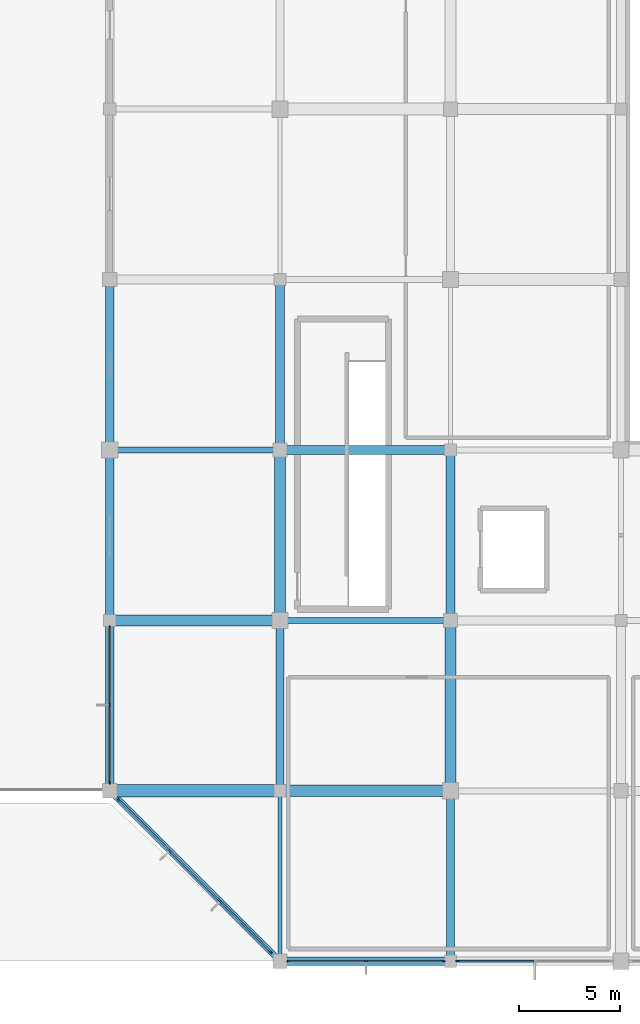
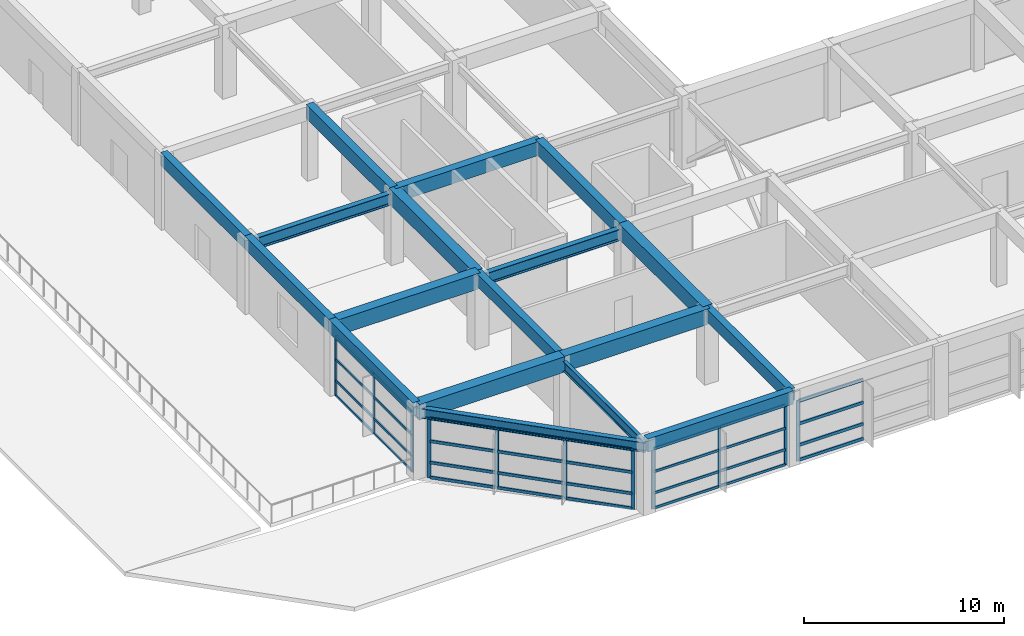
# One storey, part 10 of 56: 43 members, 18 beams, 4 elements without a shape of their own.
"""IFC4 building model written with IfcOpenShell, lengths in metres."""

from ifc_helpers import new_model, si_unit, direction, frame, origin, origin_2d, place, context, subcontext, project, spatial, rectangle, i_section, extrude, material, material_profile, profile_set, type_object, element, aggregate, save


model = new_model("IFC4")

# Units and contexts
model_context = context("Model", 3, precision=1e-05, world=origin(), true_north=direction((0.0, 1.0)))
body_context = subcontext(model_context, "Body", "Model", "MODEL_VIEW")
ifc_project = project(units=[si_unit("LENGTHUNIT", "METRE"), si_unit("AREAUNIT", "SQUARE_METRE"), si_unit("VOLUMEUNIT", "CUBIC_METRE"), si_unit("PLANEANGLEUNIT", "RADIAN"), si_unit("MASSUNIT", "GRAM", prefix="KILO")], contexts=[model_context])

# Site, building, storey
site_placement = place(None, origin())
site = spatial("IfcSite", under=ifc_project, at=site_placement, CompositionType="ELEMENT")
building_placement = place(site_placement, origin())
building = spatial("IfcBuilding", under=site, at=building_placement, Name="Xuanlan Plaza Opera House", CompositionType="ELEMENT")
storey_placement = place(building_placement, frame((0.0, 0.0, 18.89990234375)))
storey = spatial("IfcBuildingStorey", under=building, at=storey_placement, Name="L04", CompositionType="ELEMENT", Elevation=18.89990234375)

# Curtain wall, members
ifc_material_1 = material(Name="Anodised Aluminium 6063-T6 and Low-E Glass", Category="aluminium")
curtain_wall_type_1 = type_object("IfcCurtainWallType", Name="ENV-CW-CW-03", PredefinedType="USERDEFINED", material=ifc_material_1)
curtain_wall_1_placement = place(storey_placement, origin())
curtain_wall_1 = element("IfcCurtainWall", 1, at=curtain_wall_1_placement, inside=storey, type_object=curtain_wall_type_1, Name="Unitised Curtain Wall L04-001", ObjectType="UNITISED CURTAIN WALL", PredefinedType="USERDEFINED")
ifc_material_2 = material(Name="Anodised Aluminium 6063-T6", Category="aluminium")
ifc_material_profile_1 = material_profile(ifc_material_2, rectangle(XDim=0.070068359375, YDim=0.179931640625, at=origin_2d()), Name="ALU-M 70x180")
ifc_profile_set_1 = profile_set([ifc_material_profile_1], Name="Anodised Aluminium 6063-T6")
member_type_1 = type_object("IfcMemberType", Name="ENV-CWM-02", PredefinedType="MULLION", material=ifc_profile_set_1)
member_1_placement = place(storey_placement, frame((25.60498046875, 16.800048828125, 0.0), z_axis=(0.0, 0.0, 1.0), x_axis=(0.0, 1.0, 0.0)))
member_1 = element("IfcMember", 2, at=member_1_placement, type_object=member_type_1, Name="CW-03 mullion 1", PredefinedType="MULLION", context=body_context, shape_type="SweptSolid", body=[
    extrude(rectangle(XDim=0.070068359375, YDim=0.179931640625, at=origin_2d()), origin(), (0.0, 0.0, 1.0), 3.68017578125),
])
member_2_placement = place(storey_placement, frame((29.425048828125, 16.800048828125, 0.0), z_axis=(0.0, 0.0, 1.0), x_axis=(0.0, 1.0, 0.0)))
member_2 = element("IfcMember", 3, at=member_2_placement, type_object=member_type_1, Name="CW-03 mullion 2", PredefinedType="MULLION", context=body_context, shape_type="SweptSolid", body=[
    extrude(rectangle(XDim=0.070068359375, YDim=0.179931640625, at=origin_2d()), origin(), (0.0, 0.0, 1.0), 3.68017578125),
])
member_3_placement = place(storey_placement, frame((33.2451171875, 16.800048828125, 0.0), z_axis=(0.0, 0.0, 1.0), x_axis=(0.0, 1.0, 0.0)))
member_3 = element("IfcMember", 4, at=member_3_placement, type_object=member_type_1, Name="CW-03 mullion 3", PredefinedType="MULLION", context=body_context, shape_type="SweptSolid", body=[
    extrude(rectangle(XDim=0.070068359375, YDim=0.179931640625, at=origin_2d()), origin(), (0.0, 0.0, 1.0), 3.68017578125),
])

curtain_wall_type_2 = type_object("IfcCurtainWallType", Name="ENV-CW-CW-01", PredefinedType="USERDEFINED", material=ifc_material_1)
curtain_wall_2_placement = place(storey_placement, origin())
curtain_wall_2 = element("IfcCurtainWall", 5, at=curtain_wall_2_placement, inside=storey, type_object=curtain_wall_type_2, Name="Unitised Curtain Wall L04-051", ObjectType="UNITISED CURTAIN WALL", PredefinedType="USERDEFINED")
member_4_placement = place(storey_placement, frame((16.800048828125, 33.2451171875, 0.0), z_axis=(0.0, 0.0, 1.0), x_axis=(1.0, 0.0, 0.0)))
member_4 = element("IfcMember", 6, at=member_4_placement, type_object=member_type_1, Name="CW-01 mullion 1", PredefinedType="MULLION", context=body_context, shape_type="SweptSolid", body=[
    extrude(rectangle(XDim=0.070068359375, YDim=0.179931640625, at=origin_2d()), origin(), (0.0, 0.0, 1.0), 3.68017578125),
])
member_5_placement = place(storey_placement, frame((16.800048828125, 29.425048828125, 0.0), z_axis=(0.0, 0.0, 1.0), x_axis=(1.0, 0.0, 0.0)))
member_5 = element("IfcMember", 7, at=member_5_placement, type_object=member_type_1, Name="CW-01 mullion 2", PredefinedType="MULLION", context=body_context, shape_type="SweptSolid", body=[
    extrude(rectangle(XDim=0.070068359375, YDim=0.179931640625, at=origin_2d()), origin(), (0.0, 0.0, 1.0), 3.68017578125),
])
member_6_placement = place(storey_placement, frame((16.800048828125, 25.60498046875, 0.0), z_axis=(0.0, 0.0, 1.0), x_axis=(1.0, 0.0, 0.0)))
member_6 = element("IfcMember", 8, at=member_6_placement, type_object=member_type_1, Name="CW-01 mullion 3", PredefinedType="MULLION", context=body_context, shape_type="SweptSolid", body=[
    extrude(rectangle(XDim=0.070068359375, YDim=0.179931640625, at=origin_2d()), origin(), (0.0, 0.0, 1.0), 3.68017578125),
])

# Curtain wall, member
curtain_wall_type_3 = type_object("IfcCurtainWallType", Name="ENV-CW-CW-04", PredefinedType="USERDEFINED", material=ifc_material_1)
curtain_wall_3_placement = place(storey_placement, origin())
curtain_wall_3 = element("IfcCurtainWall", 9, at=curtain_wall_3_placement, inside=storey, type_object=curtain_wall_type_3, Name="Unitised Curtain Wall L04-002", ObjectType="UNITISED CURTAIN WALL", PredefinedType="USERDEFINED")
ifc_material_profile_2 = material_profile(ifc_material_2, rectangle(XDim=0.074951171875, YDim=0.199951171875, at=origin_2d()), Name="ALU-M 75x200")
ifc_profile_set_2 = profile_set([ifc_material_profile_2], Name="Anodised Aluminium 6063-T6")
member_type_2 = type_object("IfcMemberType", Name="ENV-CWM-03", PredefinedType="MULLION", material=ifc_profile_set_2)
member_7_placement = place(storey_placement, frame((33.95751953125, 16.800048828125, 0.0), z_axis=(0.0, 0.0, 1.0), x_axis=(0.0, 1.0, 0.0)))
member_7 = element("IfcMember", 10, at=member_7_placement, type_object=member_type_2, Name="CW-04 mullion 1", PredefinedType="MULLION", context=body_context, shape_type="SweptSolid", body=[
    extrude(rectangle(XDim=0.074951171875, YDim=0.199951171875, at=origin_2d()), origin(), (0.0, 0.0, 1.0), 3.68017578125),
])

# Curtain wall, members
curtain_wall_type_4 = type_object("IfcCurtainWallType", Name="ENV-CW-CW-02", PredefinedType="USERDEFINED", material=ifc_material_1)
curtain_wall_4_placement = place(storey_placement, origin())
curtain_wall_4 = element("IfcCurtainWall", 11, at=curtain_wall_4_placement, inside=storey, type_object=curtain_wall_type_4, Name="Unitised Curtain Wall L04-052", ObjectType="UNITISED CURTAIN WALL", PredefinedType="USERDEFINED")
member_8_placement = place(storey_placement, frame((17.275634765625, 24.724365234375, 0.0), z_axis=(0.0, 0.0, 1.0), x_axis=(0.707106781187, 0.707106781187, 0.0)))
member_8 = element("IfcMember", 12, at=member_8_placement, type_object=member_type_2, Name="CW-02 mullion 1", PredefinedType="MULLION", context=body_context, shape_type="SweptSolid", body=[
    extrude(rectangle(XDim=0.074951171875, YDim=0.199951171875, at=origin_2d()), origin(), (0.0, 0.0, 1.0), 3.68017578125),
])
member_9_placement = place(storey_placement, frame((19.749755859375, 22.250244140625, 0.0), z_axis=(0.0, 0.0, 1.0), x_axis=(0.707106781187, 0.707106781187, 0.0)))
member_9 = element("IfcMember", 13, at=member_9_placement, type_object=member_type_2, Name="CW-02 mullion 2", PredefinedType="MULLION", context=body_context, shape_type="SweptSolid", body=[
    extrude(rectangle(XDim=0.074951171875, YDim=0.199951171875, at=origin_2d()), origin(), (0.0, 0.0, 1.0), 3.68017578125),
])
member_10_placement = place(storey_placement, frame((22.250244140625, 19.749755859375, 0.0), z_axis=(0.0, 0.0, 1.0), x_axis=(0.707106781187, 0.707106781187, 0.0)))
member_10 = element("IfcMember", 14, at=member_10_placement, type_object=member_type_2, Name="CW-02 mullion 3", PredefinedType="MULLION", context=body_context, shape_type="SweptSolid", body=[
    extrude(rectangle(XDim=0.074951171875, YDim=0.199951171875, at=origin_2d()), origin(), (0.0, 0.0, 1.0), 3.68017578125),
])
member_11_placement = place(storey_placement, frame((24.724365234375, 17.275634765625, 0.0), z_axis=(0.0, 0.0, 1.0), x_axis=(0.707106781187, 0.707106781187, 0.0)))
member_11 = element("IfcMember", 15, at=member_11_placement, type_object=member_type_2, Name="CW-02 mullion 4", PredefinedType="MULLION", context=body_context, shape_type="SweptSolid", body=[
    extrude(rectangle(XDim=0.074951171875, YDim=0.199951171875, at=origin_2d()), origin(), (0.0, 0.0, 1.0), 3.68017578125),
])

# Member
ifc_material_profile_3 = material_profile(ifc_material_2, rectangle(XDim=0.074951171875, YDim=0.14990234375, at=origin_2d()), Name="ALU-T 75x150")
ifc_profile_set_3 = profile_set([ifc_material_profile_3], Name="Anodised Aluminium 6063-T6")
member_type_3 = type_object("IfcMemberType", Name="ENV-CWT-03", PredefinedType="USERDEFINED", material=ifc_profile_set_3)
member_12_placement = place(storey_placement, frame((25.639892578125, 16.800048828125, 0.03759765625), z_axis=(1.0, 0.0, 0.0), x_axis=(0.0, 1.0, 0.0)))
member_12 = element("IfcMember", 16, at=member_12_placement, type_object=member_type_3, Name="CW-03 transom 1.1", ObjectType="TRANSOM", PredefinedType="USERDEFINED", context=body_context, shape_type="SweptSolid", body=[
    extrude(rectangle(XDim=0.074951171875, YDim=0.14990234375, at=origin_2d()), origin(), (0.0, 0.0, 1.0), 3.75),
])

member_13_placement = place(storey_placement, frame((25.639892578125, 16.800048828125, 0.9501953125), z_axis=(1.0, 0.0, 0.0), x_axis=(0.0, 1.0, 0.0)))
member_13 = element("IfcMember", 17, at=member_13_placement, type_object=member_type_3, Name="CW-03 transom 1.2", ObjectType="TRANSOM", PredefinedType="USERDEFINED", context=body_context, shape_type="SweptSolid", body=[
    extrude(rectangle(XDim=0.074951171875, YDim=0.14990234375, at=origin_2d()), origin(), (0.0, 0.0, 1.0), 3.75),
])

member_14_placement = place(storey_placement, frame((25.639892578125, 16.800048828125, 2.25), z_axis=(1.0, 0.0, 0.0), x_axis=(0.0, 1.0, 0.0)))
member_14 = element("IfcMember", 18, at=member_14_placement, type_object=member_type_3, Name="CW-03 transom 1.3", ObjectType="TRANSOM", PredefinedType="USERDEFINED", context=body_context, shape_type="SweptSolid", body=[
    extrude(rectangle(XDim=0.074951171875, YDim=0.14990234375, at=origin_2d()), origin(), (0.0, 0.0, 1.0), 3.75),
])

member_15_placement = place(storey_placement, frame((25.639892578125, 16.800048828125, 3.642578125), z_axis=(1.0, 0.0, 0.0), x_axis=(0.0, 1.0, 0.0)))
member_15 = element("IfcMember", 19, at=member_15_placement, type_object=member_type_3, Name="CW-03 transom 1.4", ObjectType="TRANSOM", PredefinedType="USERDEFINED", context=body_context, shape_type="SweptSolid", body=[
    extrude(rectangle(XDim=0.074951171875, YDim=0.14990234375, at=origin_2d()), origin(), (0.0, 0.0, 1.0), 3.75),
])

member_16_placement = place(storey_placement, frame((29.4599609375, 16.800048828125, 0.03759765625), z_axis=(1.0, 0.0, 0.0), x_axis=(0.0, 1.0, 0.0)))
member_16 = element("IfcMember", 20, at=member_16_placement, type_object=member_type_3, Name="CW-03 transom 2.1", ObjectType="TRANSOM", PredefinedType="USERDEFINED", context=body_context, shape_type="SweptSolid", body=[
    extrude(rectangle(XDim=0.074951171875, YDim=0.14990234375, at=origin_2d()), origin(), (0.0, 0.0, 1.0), 3.75),
])

member_17_placement = place(storey_placement, frame((29.4599609375, 16.800048828125, 0.9501953125), z_axis=(1.0, 0.0, 0.0), x_axis=(0.0, 1.0, 0.0)))
member_17 = element("IfcMember", 21, at=member_17_placement, type_object=member_type_3, Name="CW-03 transom 2.2", ObjectType="TRANSOM", PredefinedType="USERDEFINED", context=body_context, shape_type="SweptSolid", body=[
    extrude(rectangle(XDim=0.074951171875, YDim=0.14990234375, at=origin_2d()), origin(), (0.0, 0.0, 1.0), 3.75),
])

member_18_placement = place(storey_placement, frame((29.4599609375, 16.800048828125, 2.25), z_axis=(1.0, 0.0, 0.0), x_axis=(0.0, 1.0, 0.0)))
member_18 = element("IfcMember", 22, at=member_18_placement, type_object=member_type_3, Name="CW-03 transom 2.3", ObjectType="TRANSOM", PredefinedType="USERDEFINED", context=body_context, shape_type="SweptSolid", body=[
    extrude(rectangle(XDim=0.074951171875, YDim=0.14990234375, at=origin_2d()), origin(), (0.0, 0.0, 1.0), 3.75),
])

member_19_placement = place(storey_placement, frame((29.4599609375, 16.800048828125, 3.642578125), z_axis=(1.0, 0.0, 0.0), x_axis=(0.0, 1.0, 0.0)))
member_19 = element("IfcMember", 23, at=member_19_placement, type_object=member_type_3, Name="CW-03 transom 2.4", ObjectType="TRANSOM", PredefinedType="USERDEFINED", context=body_context, shape_type="SweptSolid", body=[
    extrude(rectangle(XDim=0.074951171875, YDim=0.14990234375, at=origin_2d()), origin(), (0.0, 0.0, 1.0), 3.75),
])

aggregate(curtain_wall_1, [member_1, member_2, member_3, member_12, member_13, member_14, member_15, member_16, member_17, member_18, member_19])

member_20_placement = place(storey_placement, frame((16.800048828125, 33.2099609375, 0.03759765625), z_axis=(0.0, -1.0, 0.0), x_axis=(1.0, 0.0, 0.0)))
member_20 = element("IfcMember", 24, at=member_20_placement, type_object=member_type_3, Name="CW-01 transom 1.1", ObjectType="TRANSOM", PredefinedType="USERDEFINED", context=body_context, shape_type="SweptSolid", body=[
    extrude(rectangle(XDim=0.074951171875, YDim=0.14990234375, at=origin_2d()), origin(), (0.0, 0.0, 1.0), 3.75),
])

member_21_placement = place(storey_placement, frame((16.800048828125, 33.2099609375, 0.9501953125), z_axis=(0.0, -1.0, 0.0), x_axis=(1.0, 0.0, 0.0)))
member_21 = element("IfcMember", 25, at=member_21_placement, type_object=member_type_3, Name="CW-01 transom 1.2", ObjectType="TRANSOM", PredefinedType="USERDEFINED", context=body_context, shape_type="SweptSolid", body=[
    extrude(rectangle(XDim=0.074951171875, YDim=0.14990234375, at=origin_2d()), origin(), (0.0, 0.0, 1.0), 3.75),
])

member_22_placement = place(storey_placement, frame((16.800048828125, 33.2099609375, 2.25), z_axis=(0.0, -1.0, 0.0), x_axis=(1.0, 0.0, 0.0)))
member_22 = element("IfcMember", 26, at=member_22_placement, type_object=member_type_3, Name="CW-01 transom 1.3", ObjectType="TRANSOM", PredefinedType="USERDEFINED", context=body_context, shape_type="SweptSolid", body=[
    extrude(rectangle(XDim=0.074951171875, YDim=0.14990234375, at=origin_2d()), origin(), (0.0, 0.0, 1.0), 3.75),
])

member_23_placement = place(storey_placement, frame((16.800048828125, 33.2099609375, 3.642578125), z_axis=(0.0, -1.0, 0.0), x_axis=(1.0, 0.0, 0.0)))
member_23 = element("IfcMember", 27, at=member_23_placement, type_object=member_type_3, Name="CW-01 transom 1.4", ObjectType="TRANSOM", PredefinedType="USERDEFINED", context=body_context, shape_type="SweptSolid", body=[
    extrude(rectangle(XDim=0.074951171875, YDim=0.14990234375, at=origin_2d()), origin(), (0.0, 0.0, 1.0), 3.75),
])

member_24_placement = place(storey_placement, frame((16.800048828125, 29.389892578125, 0.03759765625), z_axis=(0.0, -1.0, 0.0), x_axis=(1.0, 0.0, 0.0)))
member_24 = element("IfcMember", 28, at=member_24_placement, type_object=member_type_3, Name="CW-01 transom 2.1", ObjectType="TRANSOM", PredefinedType="USERDEFINED", context=body_context, shape_type="SweptSolid", body=[
    extrude(rectangle(XDim=0.074951171875, YDim=0.14990234375, at=origin_2d()), origin(), (0.0, 0.0, 1.0), 3.75),
])

member_25_placement = place(storey_placement, frame((16.800048828125, 29.389892578125, 0.9501953125), z_axis=(0.0, -1.0, 0.0), x_axis=(1.0, 0.0, 0.0)))
member_25 = element("IfcMember", 29, at=member_25_placement, type_object=member_type_3, Name="CW-01 transom 2.2", ObjectType="TRANSOM", PredefinedType="USERDEFINED", context=body_context, shape_type="SweptSolid", body=[
    extrude(rectangle(XDim=0.074951171875, YDim=0.14990234375, at=origin_2d()), origin(), (0.0, 0.0, 1.0), 3.75),
])

member_26_placement = place(storey_placement, frame((16.800048828125, 29.389892578125, 2.25), z_axis=(0.0, -1.0, 0.0), x_axis=(1.0, 0.0, 0.0)))
member_26 = element("IfcMember", 30, at=member_26_placement, type_object=member_type_3, Name="CW-01 transom 2.3", ObjectType="TRANSOM", PredefinedType="USERDEFINED", context=body_context, shape_type="SweptSolid", body=[
    extrude(rectangle(XDim=0.074951171875, YDim=0.14990234375, at=origin_2d()), origin(), (0.0, 0.0, 1.0), 3.75),
])

member_27_placement = place(storey_placement, frame((16.800048828125, 29.389892578125, 3.642578125), z_axis=(0.0, -1.0, 0.0), x_axis=(1.0, 0.0, 0.0)))
member_27 = element("IfcMember", 31, at=member_27_placement, type_object=member_type_3, Name="CW-01 transom 2.4", ObjectType="TRANSOM", PredefinedType="USERDEFINED", context=body_context, shape_type="SweptSolid", body=[
    extrude(rectangle(XDim=0.074951171875, YDim=0.14990234375, at=origin_2d()), origin(), (0.0, 0.0, 1.0), 3.75),
])

aggregate(curtain_wall_2, [member_4, member_5, member_6, member_20, member_21, member_22, member_23, member_24, member_25, member_26, member_27])

ifc_material_profile_4 = material_profile(ifc_material_2, rectangle(XDim=0.090087890625, YDim=0.179931640625, at=origin_2d()), Name="ALU-T 90x180")
ifc_profile_set_4 = profile_set([ifc_material_profile_4], Name="Anodised Aluminium 6063-T6")
member_type_4 = type_object("IfcMemberType", Name="ENV-CWT-05", PredefinedType="USERDEFINED", material=ifc_profile_set_4)
member_28_placement = place(storey_placement, frame((33.9951171875, 16.800048828125, 0.045166015625), z_axis=(1.0, 0.0, 0.0), x_axis=(0.0, 1.0, 0.0)))
member_28 = element("IfcMember", 32, at=member_28_placement, type_object=member_type_4, Name="CW-04 transom 1.1", ObjectType="TRANSOM", PredefinedType="USERDEFINED", context=body_context, shape_type="SweptSolid", body=[
    extrude(rectangle(XDim=0.090087890625, YDim=0.179931640625, at=origin_2d()), origin(), (0.0, 0.0, 1.0), 3.71728515625),
])

member_29_placement = place(storey_placement, frame((33.9951171875, 16.800048828125, 0.9501953125), z_axis=(1.0, 0.0, 0.0), x_axis=(0.0, 1.0, 0.0)))
member_29 = element("IfcMember", 33, at=member_29_placement, type_object=member_type_4, Name="CW-04 transom 1.2", ObjectType="TRANSOM", PredefinedType="USERDEFINED", context=body_context, shape_type="SweptSolid", body=[
    extrude(rectangle(XDim=0.090087890625, YDim=0.179931640625, at=origin_2d()), origin(), (0.0, 0.0, 1.0), 3.71728515625),
])

member_30_placement = place(storey_placement, frame((33.9951171875, 16.800048828125, 2.25), z_axis=(1.0, 0.0, 0.0), x_axis=(0.0, 1.0, 0.0)))
member_30 = element("IfcMember", 34, at=member_30_placement, type_object=member_type_4, Name="CW-04 transom 1.3", ObjectType="TRANSOM", PredefinedType="USERDEFINED", context=body_context, shape_type="SweptSolid", body=[
    extrude(rectangle(XDim=0.090087890625, YDim=0.179931640625, at=origin_2d()), origin(), (0.0, 0.0, 1.0), 3.71728515625),
])

member_31_placement = place(storey_placement, frame((33.9951171875, 16.800048828125, 3.635009765625), z_axis=(1.0, 0.0, 0.0), x_axis=(0.0, 1.0, 0.0)))
member_31 = element("IfcMember", 35, at=member_31_placement, type_object=member_type_4, Name="CW-04 transom 1.4", ObjectType="TRANSOM", PredefinedType="USERDEFINED", context=body_context, shape_type="SweptSolid", body=[
    extrude(rectangle(XDim=0.090087890625, YDim=0.179931640625, at=origin_2d()), origin(), (0.0, 0.0, 1.0), 3.71728515625),
])

aggregate(curtain_wall_3, [member_7, member_28, member_29, member_30, member_31])

member_32_placement = place(storey_placement, frame((17.302001953125, 24.697998046875, 0.045166015625), z_axis=(0.707106781187, -0.707106781187, 0.0), x_axis=(0.707106781187, 0.707106781187, 0.0)))
member_32 = element("IfcMember", 36, at=member_32_placement, type_object=member_type_4, Name="CW-02 transom 1.1", ObjectType="TRANSOM", PredefinedType="USERDEFINED", context=body_context, shape_type="SweptSolid", body=[
    extrude(rectangle(XDim=0.090087890625, YDim=0.179931640625, at=origin_2d()), origin(), (0.0, 0.0, 1.0), 3.424072265625),
])

member_33_placement = place(storey_placement, frame((17.302001953125, 24.697998046875, 0.9501953125), z_axis=(0.707106781187, -0.707106781187, 0.0), x_axis=(0.707106781187, 0.707106781187, 0.0)))
member_33 = element("IfcMember", 37, at=member_33_placement, type_object=member_type_4, Name="CW-02 transom 1.2", ObjectType="TRANSOM", PredefinedType="USERDEFINED", context=body_context, shape_type="SweptSolid", body=[
    extrude(rectangle(XDim=0.090087890625, YDim=0.179931640625, at=origin_2d()), origin(), (0.0, 0.0, 1.0), 3.424072265625),
])

member_34_placement = place(storey_placement, frame((17.302001953125, 24.697998046875, 2.25), z_axis=(0.707106781187, -0.707106781187, 0.0), x_axis=(0.707106781187, 0.707106781187, 0.0)))
member_34 = element("IfcMember", 38, at=member_34_placement, type_object=member_type_4, Name="CW-02 transom 1.3", ObjectType="TRANSOM", PredefinedType="USERDEFINED", context=body_context, shape_type="SweptSolid", body=[
    extrude(rectangle(XDim=0.090087890625, YDim=0.179931640625, at=origin_2d()), origin(), (0.0, 0.0, 1.0), 3.424072265625),
])

member_35_placement = place(storey_placement, frame((17.302001953125, 24.697998046875, 3.635009765625), z_axis=(0.707106781187, -0.707106781187, 0.0), x_axis=(0.707106781187, 0.707106781187, 0.0)))
member_35 = element("IfcMember", 39, at=member_35_placement, type_object=member_type_4, Name="CW-02 transom 1.4", ObjectType="TRANSOM", PredefinedType="USERDEFINED", context=body_context, shape_type="SweptSolid", body=[
    extrude(rectangle(XDim=0.090087890625, YDim=0.179931640625, at=origin_2d()), origin(), (0.0, 0.0, 1.0), 3.424072265625),
])

member_36_placement = place(storey_placement, frame((19.776123046875, 22.223876953125, 0.045166015625), z_axis=(0.707106781187, -0.707106781187, 0.0), x_axis=(0.707106781187, 0.707106781187, 0.0)))
member_36 = element("IfcMember", 40, at=member_36_placement, type_object=member_type_4, Name="CW-02 transom 2.1", ObjectType="TRANSOM", PredefinedType="USERDEFINED", context=body_context, shape_type="SweptSolid", body=[
    extrude(rectangle(XDim=0.090087890625, YDim=0.179931640625, at=origin_2d()), origin(), (0.0, 0.0, 1.0), 3.461669921875),
])

member_37_placement = place(storey_placement, frame((19.776123046875, 22.223876953125, 0.9501953125), z_axis=(0.707106781187, -0.707106781187, 0.0), x_axis=(0.707106781187, 0.707106781187, 0.0)))
member_37 = element("IfcMember", 41, at=member_37_placement, type_object=member_type_4, Name="CW-02 transom 2.2", ObjectType="TRANSOM", PredefinedType="USERDEFINED", context=body_context, shape_type="SweptSolid", body=[
    extrude(rectangle(XDim=0.090087890625, YDim=0.179931640625, at=origin_2d()), origin(), (0.0, 0.0, 1.0), 3.461669921875),
])

member_38_placement = place(storey_placement, frame((19.776123046875, 22.223876953125, 2.25), z_axis=(0.707106781187, -0.707106781187, 0.0), x_axis=(0.707106781187, 0.707106781187, 0.0)))
member_38 = element("IfcMember", 42, at=member_38_placement, type_object=member_type_4, Name="CW-02 transom 2.3", ObjectType="TRANSOM", PredefinedType="USERDEFINED", context=body_context, shape_type="SweptSolid", body=[
    extrude(rectangle(XDim=0.090087890625, YDim=0.179931640625, at=origin_2d()), origin(), (0.0, 0.0, 1.0), 3.461669921875),
])

member_39_placement = place(storey_placement, frame((19.776123046875, 22.223876953125, 3.635009765625), z_axis=(0.707106781187, -0.707106781187, 0.0), x_axis=(0.707106781187, 0.707106781187, 0.0)))
member_39 = element("IfcMember", 43, at=member_39_placement, type_object=member_type_4, Name="CW-02 transom 2.4", ObjectType="TRANSOM", PredefinedType="USERDEFINED", context=body_context, shape_type="SweptSolid", body=[
    extrude(rectangle(XDim=0.090087890625, YDim=0.179931640625, at=origin_2d()), origin(), (0.0, 0.0, 1.0), 3.461669921875),
])

member_40_placement = place(storey_placement, frame((22.27685546875, 19.72314453125, 0.045166015625), z_axis=(0.707106781187, -0.707106781187, 0.0), x_axis=(0.707106781187, 0.707106781187, 0.0)))
member_40 = element("IfcMember", 44, at=member_40_placement, type_object=member_type_4, Name="CW-02 transom 3.1", ObjectType="TRANSOM", PredefinedType="USERDEFINED", context=body_context, shape_type="SweptSolid", body=[
    extrude(rectangle(XDim=0.090087890625, YDim=0.179931640625, at=origin_2d()), origin(), (0.0, 0.0, 1.0), 3.424072265625),
])

member_41_placement = place(storey_placement, frame((22.27685546875, 19.72314453125, 0.9501953125), z_axis=(0.707106781187, -0.707106781187, 0.0), x_axis=(0.707106781187, 0.707106781187, 0.0)))
member_41 = element("IfcMember", 45, at=member_41_placement, type_object=member_type_4, Name="CW-02 transom 3.2", ObjectType="TRANSOM", PredefinedType="USERDEFINED", context=body_context, shape_type="SweptSolid", body=[
    extrude(rectangle(XDim=0.090087890625, YDim=0.179931640625, at=origin_2d()), origin(), (0.0, 0.0, 1.0), 3.424072265625),
])

member_42_placement = place(storey_placement, frame((22.27685546875, 19.72314453125, 2.25), z_axis=(0.707106781187, -0.707106781187, 0.0), x_axis=(0.707106781187, 0.707106781187, 0.0)))
member_42 = element("IfcMember", 46, at=member_42_placement, type_object=member_type_4, Name="CW-02 transom 3.3", ObjectType="TRANSOM", PredefinedType="USERDEFINED", context=body_context, shape_type="SweptSolid", body=[
    extrude(rectangle(XDim=0.090087890625, YDim=0.179931640625, at=origin_2d()), origin(), (0.0, 0.0, 1.0), 3.424072265625),
])

member_43_placement = place(storey_placement, frame((22.27685546875, 19.72314453125, 3.635009765625), z_axis=(0.707106781187, -0.707106781187, 0.0), x_axis=(0.707106781187, 0.707106781187, 0.0)))
member_43 = element("IfcMember", 47, at=member_43_placement, type_object=member_type_4, Name="CW-02 transom 3.4", ObjectType="TRANSOM", PredefinedType="USERDEFINED", context=body_context, shape_type="SweptSolid", body=[
    extrude(rectangle(XDim=0.090087890625, YDim=0.179931640625, at=origin_2d()), origin(), (0.0, 0.0, 1.0), 3.424072265625),
])

aggregate(curtain_wall_4, [member_8, member_9, member_10, member_11, member_32, member_33, member_34, member_35, member_36, member_37, member_38, member_39, member_40, member_41, member_42, member_43])

# Beams
ifc_material_3 = material(Name="Concrete C50", Category="concrete")
ifc_material_profile_5 = material_profile(ifc_material_3, rectangle(XDim=0.60009765625, YDim=0.949951171875, at=origin_2d()), Name="RC-BM 600x950")
ifc_profile_set_5 = profile_set([ifc_material_profile_5], Name="Concrete C50")
beam_type_1 = type_object("IfcBeamType", Name="STR-BM-B-01", PredefinedType="BEAM", material=ifc_profile_set_5)
beam_1_placement = place(storey_placement, frame((16.800048828125, 25.199951171875, 4.025146484375), z_axis=(1.0, 0.0, 0.0), x_axis=(0.0, 1.0, 0.0)))
element("IfcBeam", 48, at=beam_1_placement, inside=storey, type_object=beam_type_1, Name="Grid Beam X L04 3-4/D", PredefinedType="BEAM", context=body_context, shape_type="SweptSolid", body=[
    extrude(rectangle(XDim=0.60009765625, YDim=0.949951171875, at=origin_2d()), origin(), (0.0, 0.0, 1.0), 8.39990234375),
])
ifc_material_profile_6 = material_profile(ifc_material_3, rectangle(XDim=0.550048828125, YDim=0.949951171875, at=origin_2d()), Name="RC-BM 550x950")
ifc_profile_set_6 = profile_set([ifc_material_profile_6], Name="Concrete C50")
beam_type_2 = type_object("IfcBeamType", Name="STR-BM-B-02", PredefinedType="BEAM", material=ifc_profile_set_6)
beam_2_placement = place(storey_placement, frame((25.199951171875, 25.199951171875, 4.025146484375), z_axis=(1.0, 0.0, 0.0), x_axis=(0.0, 1.0, 0.0)))
element("IfcBeam", 49, at=beam_2_placement, inside=storey, type_object=beam_type_2, Name="Grid Beam X L04 4-5/D", PredefinedType="BEAM", context=body_context, shape_type="SweptSolid", body=[
    extrude(rectangle(XDim=0.550048828125, YDim=0.949951171875, at=origin_2d()), origin(), (0.0, 0.0, 1.0), 8.400146484375),
])
for number, where, z_axis, x_axis, name in (
    (50, (16.800048828125, 33.60009765625, 4.025146484375), (1.0, 0.0, 0.0), (0.0, 1.0, 0.0), "Grid Beam X L04 3-4/E"),
    (51, (25.199951171875, 33.60009765625, 4.025146484375), (0.0, 1.0, 0.0), (-1.0, 0.0, 0.0), "Grid Beam Y L04 4/E-F"),
):
    element("IfcBeam", number, at=place(storey_placement, frame(where, z_axis=z_axis, x_axis=x_axis)), inside=storey, type_object=beam_type_2, Name=name, PredefinedType="BEAM", context=body_context, shape_type="SweptSolid", body=[
        extrude(rectangle(XDim=0.550048828125, YDim=0.949951171875, at=origin_2d()), origin(), (0.0, 0.0, 1.0), 8.39990234375),
    ])
beam_3_placement = place(storey_placement, frame((33.60009765625, 25.199951171875, 4.025146484375), z_axis=(0.0, 1.0, 0.0), x_axis=(-1.0, 0.0, 0.0)))
element("IfcBeam", 52, at=beam_3_placement, inside=storey, type_object=beam_type_2, Name="Grid Beam Y L04 5/D-E", PredefinedType="BEAM", context=body_context, shape_type="SweptSolid", body=[
    extrude(rectangle(XDim=0.550048828125, YDim=0.949951171875, at=origin_2d()), origin(), (0.0, 0.0, 1.0), 8.400146484375),
])
ifc_material_4 = material(Name="Concrete C40", Category="concrete")
ifc_material_profile_7 = material_profile(ifc_material_4, rectangle(XDim=0.449951171875, YDim=0.85009765625, at=origin_2d()), Name="RC-BM 450x850")
ifc_profile_set_7 = profile_set([ifc_material_profile_7], Name="Concrete C40")
beam_type_3 = type_object("IfcBeamType", Name="STR-BM-B-04", PredefinedType="BEAM", material=ifc_profile_set_7)
beam_4_placement = place(storey_placement, frame((25.199951171875, 42.0, 4.0751953125), z_axis=(1.0, 0.0, 0.0), x_axis=(0.0, 1.0, 0.0)))
element("IfcBeam", 53, at=beam_4_placement, inside=storey, type_object=beam_type_3, Name="Grid Beam X L04 4-5/F", PredefinedType="BEAM", context=body_context, shape_type="SweptSolid", body=[
    extrude(rectangle(XDim=0.449951171875, YDim=0.85009765625, at=origin_2d()), origin(), (0.0, 0.0, 1.0), 8.400146484375),
])
for number, where, z_axis, x_axis, name in (
    (54, (25.199951171875, 42.0, 4.0751953125), (0.0, 1.0, 0.0), (-1.0, 0.0, 0.0), "Grid Beam Y L04 4/F-G"),
    (55, (33.60009765625, 33.60009765625, 4.0751953125), (0.0, 1.0, 0.0), (-1.0, 0.0, 0.0), "Grid Beam Y L04 5/E-F"),
):
    element("IfcBeam", number, at=place(storey_placement, frame(where, z_axis=z_axis, x_axis=x_axis)), inside=storey, type_object=beam_type_3, Name=name, PredefinedType="BEAM", context=body_context, shape_type="SweptSolid", body=[
        extrude(rectangle(XDim=0.449951171875, YDim=0.85009765625, at=origin_2d()), origin(), (0.0, 0.0, 1.0), 8.39990234375),
    ])
ifc_material_profile_8 = material_profile(ifc_material_4, rectangle(XDim=0.39990234375, YDim=0.75, at=origin_2d()), Name="RC-BM 400x750")
ifc_profile_set_8 = profile_set([ifc_material_profile_8], Name="Concrete C40")
beam_type_4 = type_object("IfcBeamType", Name="STR-BM-B-06", PredefinedType="BEAM", material=ifc_profile_set_8)
beam_5_placement = place(storey_placement, frame((25.199951171875, 25.199951171875, 4.125), z_axis=(0.0, 1.0, 0.0), x_axis=(-1.0, 0.0, 0.0)))
element("IfcBeam", 56, at=beam_5_placement, inside=storey, type_object=beam_type_4, Name="Grid Beam Y L04 4/D-E", PredefinedType="BEAM", context=body_context, shape_type="SweptSolid", body=[
    extrude(rectangle(XDim=0.39990234375, YDim=0.75, at=origin_2d()), origin(), (0.0, 0.0, 1.0), 8.400146484375),
])
beam_6_placement = place(storey_placement, frame((33.60009765625, 16.800048828125, 4.125), z_axis=(0.0, 1.0, 0.0), x_axis=(-1.0, 0.0, 0.0)))
element("IfcBeam", 57, at=beam_6_placement, inside=storey, type_object=beam_type_4, Name="Grid Beam Y L04 5/C-D", PredefinedType="BEAM", context=body_context, shape_type="SweptSolid", body=[
    extrude(rectangle(XDim=0.39990234375, YDim=0.75, at=origin_2d()), origin(), (0.0, 0.0, 1.0), 8.39990234375),
])
ifc_material_5 = material(Name="Steel Q355B", Category="steel")
ifc_material_profile_9 = material_profile(ifc_material_5, i_section(OverallWidth=0.300048828125, OverallDepth=0.699951171875, WebThickness=0.012939453125, FlangeThickness=0.02392578125, FilletRadius=0.02392578125, at=origin_2d()), Name="HN 700x300x13x24")
ifc_profile_set_9 = profile_set([ifc_material_profile_9], Name="Steel Q355B")
beam_type_5 = type_object("IfcBeamType", Name="STR-BM-SB-03", PredefinedType="BEAM", material=ifc_profile_set_9)
beam_7_placement = place(storey_placement, frame((25.199951171875, 33.60009765625, 3.885009765625), z_axis=(1.0, 0.0, 0.0), x_axis=(0.0, 1.0, 0.0)))
element("IfcBeam", 58, at=beam_7_placement, inside=storey, type_object=beam_type_5, Name="Grid Beam X L04 4-5/E", PredefinedType="BEAM", context=body_context, shape_type="SweptSolid", body=[
    extrude(i_section(OverallWidth=0.300048828125, OverallDepth=0.699951171875, WebThickness=0.012939453125, FlangeThickness=0.02392578125, FilletRadius=0.02392578125, at=origin_2d()), origin(), (0.0, 0.0, 1.0), 8.400146484375),
])
beam_8_placement = place(storey_placement, frame((16.800048828125, 42.0, 3.885009765625), z_axis=(1.0, 0.0, 0.0), x_axis=(0.0, 1.0, 0.0)))
element("IfcBeam", 59, at=beam_8_placement, inside=storey, type_object=beam_type_5, Name="Grid Beam X L04 3-4/F", PredefinedType="BEAM", context=body_context, shape_type="SweptSolid", body=[
    extrude(i_section(OverallWidth=0.300048828125, OverallDepth=0.699951171875, WebThickness=0.012939453125, FlangeThickness=0.02392578125, FilletRadius=0.02392578125, at=origin_2d()), origin(), (0.0, 0.0, 1.0), 8.39990234375),
])
ifc_material_profile_10 = material_profile(ifc_material_5, i_section(OverallWidth=0.199951171875, OverallDepth=0.60009765625, WebThickness=0.010986328125, FlangeThickness=0.01708984375, FilletRadius=0.02197265625, at=origin_2d()), Name="HN 600x200x11x17")
ifc_profile_set_10 = profile_set([ifc_material_profile_10], Name="Steel Q355B")
beam_type_6 = type_object("IfcBeamType", Name="STR-BM-SB-04", PredefinedType="BEAM", material=ifc_profile_set_10)
beam_9_placement = place(storey_placement, frame((25.199951171875, 16.800048828125, 3.93505859375), z_axis=(0.0, 1.0, 0.0), x_axis=(-1.0, 0.0, 0.0)))
element("IfcBeam", 60, at=beam_9_placement, inside=storey, type_object=beam_type_6, Name="Grid Beam Y L04 4/C-D", PredefinedType="BEAM", context=body_context, shape_type="SweptSolid", body=[
    extrude(i_section(OverallWidth=0.199951171875, OverallDepth=0.60009765625, WebThickness=0.010986328125, FlangeThickness=0.01708984375, FilletRadius=0.02197265625, at=origin_2d()), origin(), (0.0, 0.0, 1.0), 8.39990234375),
])
ifc_material_profile_11 = material_profile(ifc_material_4, rectangle(XDim=0.39990234375, YDim=0.800048828125, at=origin_2d()), Name="RC-SPD 400x800")
ifc_profile_set_11 = profile_set([ifc_material_profile_11], Name="Concrete C40")
beam_type_7 = type_object("IfcBeamType", Name="STR-BM-SP-01", PredefinedType="SPANDREL", material=ifc_profile_set_11)
for number, where, z_axis, x_axis, name in (
    (61, (25.199951171875, 16.800048828125, 4.10009765625), (1.0, 0.0, 0.0), (0.0, 1.0, 0.0), "Grid Beam X L04 4-5/C"),
    (62, (16.800048828125, 25.199951171875, 4.10009765625), (0.0, 1.0, 0.0), (-1.0, 0.0, 0.0), "Grid Beam Y L04 3/D-E"),
):
    element("IfcBeam", number, at=place(storey_placement, frame(where, z_axis=z_axis, x_axis=x_axis)), inside=storey, type_object=beam_type_7, Name=name, PredefinedType="SPANDREL", context=body_context, shape_type="SweptSolid", body=[
        extrude(rectangle(XDim=0.39990234375, YDim=0.800048828125, at=origin_2d()), origin(), (0.0, 0.0, 1.0), 8.400146484375),
    ])
for number, where, z_axis, x_axis, name in (
    (63, (16.800048828125, 33.60009765625, 4.10009765625), (0.0, 1.0, 0.0), (-1.0, 0.0, 0.0), "Grid Beam Y L04 3/E-F"),
    (64, (16.800048828125, 42.0, 4.10009765625), (0.0, 1.0, 0.0), (-1.0, 0.0, 0.0), "Grid Beam Y L04 3/F-G"),
):
    element("IfcBeam", number, at=place(storey_placement, frame(where, z_axis=z_axis, x_axis=x_axis)), inside=storey, type_object=beam_type_7, Name=name, PredefinedType="SPANDREL", context=body_context, shape_type="SweptSolid", body=[
        extrude(rectangle(XDim=0.39990234375, YDim=0.800048828125, at=origin_2d()), origin(), (0.0, 0.0, 1.0), 8.39990234375),
    ])
ifc_material_profile_12 = material_profile(ifc_material_5, i_section(OverallWidth=0.300048828125, OverallDepth=0.587890625, WebThickness=0.011962890625, FlangeThickness=0.02001953125, FilletRadius=0.02392578125, at=origin_2d()), Name="HM 588x300x12x20")
ifc_profile_set_12 = profile_set([ifc_material_profile_12], Name="Steel Q355B")
beam_type_8 = type_object("IfcBeamType", Name="STR-BM-SP-03", PredefinedType="SPANDREL", material=ifc_profile_set_12)
beam_10_placement = place(storey_placement, frame((25.199951171875, 16.800048828125, 3.941162109375), z_axis=(-0.707106781187, 0.707106781187, 0.0), x_axis=(-0.707106781187, -0.707106781187, 0.0)))
element("IfcBeam", 65, at=beam_10_placement, inside=storey, type_object=beam_type_8, Name="Faceted Edge Spandrel L04 CH02", PredefinedType="SPANDREL", context=body_context, shape_type="SweptSolid", body=[
    extrude(i_section(OverallWidth=0.300048828125, OverallDepth=0.587890625, WebThickness=0.011962890625, FlangeThickness=0.02001953125, FilletRadius=0.02392578125, at=origin_2d()), origin(), (0.0, 0.0, 1.0), 11.879150390625),
])

save(model, "model.ifc")
